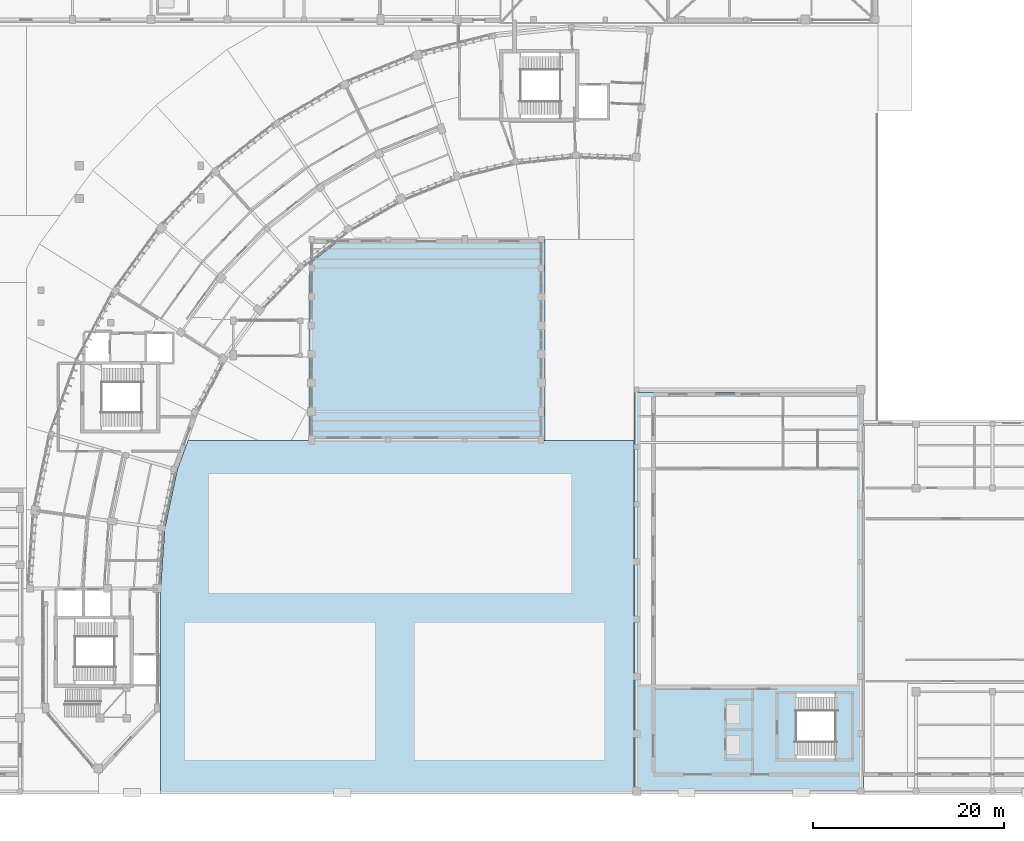
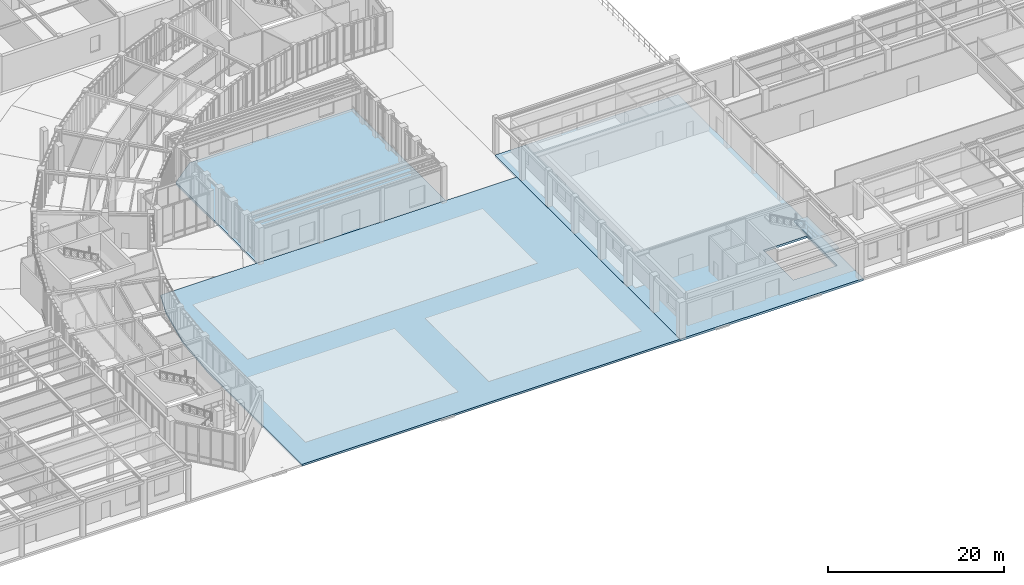
# One storey, part 24 of 68: 4 slabs, 1 element without a shape of its own.
"""IFC4 building model written with IfcOpenShell, lengths in metres."""

from ifc_helpers import new_model, si_unit, direction, frame, origin, place, context, subcontext, project, spatial, polyline, outline, extrude, material, layer, layer_set, type_object, element, aggregate, save


model = new_model("IFC4")

# Units and contexts
model_context = context("Model", 3, precision=1e-05, world=origin(), true_north=direction((0.0, 1.0)))
body_context = subcontext(model_context, "Body", "Model", "MODEL_VIEW")
ifc_project = project(units=[si_unit("LENGTHUNIT", "METRE"), si_unit("AREAUNIT", "SQUARE_METRE"), si_unit("VOLUMEUNIT", "CUBIC_METRE"), si_unit("PLANEANGLEUNIT", "RADIAN"), si_unit("MASSUNIT", "GRAM", prefix="KILO"), si_unit("THERMODYNAMICTEMPERATUREUNIT", "KELVIN"), si_unit("POWERUNIT", "WATT")], contexts=[model_context])

# Site, building, storey
site_placement = place(None, origin())
site = spatial("IfcSite", under=ifc_project, at=site_placement, CompositionType="ELEMENT")
building_placement = place(site_placement, origin())
building = spatial("IfcBuilding", under=site, at=building_placement, Name="Solvatero Civic Police Headquarters", CompositionType="ELEMENT")
storey_placement = place(building_placement, origin())
storey = spatial("IfcBuildingStorey", under=building, at=storey_placement, Name="L00", CompositionType="ELEMENT", Elevation=0.0)

# Stair, slab
ifc_material_1 = material(Name="Precast concrete C40/50", Category="concrete")
stair_type = type_object("IfcStairType", Name="STR-C145-510", PredefinedType="HALF_TURN_STAIR", material=ifc_material_1)
stair_placement = place(storey_placement, origin())
stair = element("IfcStair", 1, at=stair_placement, inside=storey, type_object=stair_type, Name="Protected Exit Stair ST-C5 (L00 to L01)", PredefinedType="HALF_TURN_STAIR")
ifc_layer_1 = layer(ifc_material_1, 0.199951171875)
ifc_layer_set_1 = layer_set([ifc_layer_1], Name="Precast concrete C40/50")
slab_type_1 = type_object("IfcSlabType", Name="SLB-LND-200", PredefinedType="LANDING", material=ifc_layer_set_1)
slab_1_placement = place(storey_placement, frame((0.0, 0.0, 2.35009765625)))
slab_1 = element("IfcSlab", 2, at=slab_1_placement, type_object=slab_type_1, Name="ST-C5 L00 Half-Landing", PredefinedType="LANDING", context=body_context, shape_type="SweptSolid", body=[
    extrude(outline(polyline([(119.56494140625, 8.050048828125), (121.35009765625, 8.050048828125), (121.35009765625, 15.14990234375), (119.56494140625, 15.14990234375), (119.56494140625, 8.050048828125)])), origin(), (0.0, 0.0, 1.0), 0.199951171875),
])
aggregate(stair, [slab_1])

# Slabs
ifc_material_2 = material(Name="Concrete C40/50", Category="concrete")
ifc_layer_2 = layer(ifc_material_2, 0.300048828125)
ifc_layer_set_2 = layer_set([ifc_layer_2], Name="Concrete C40/50")
slab_type_2 = type_object("IfcSlabType", Name="SLB-RC-300", PredefinedType="FLOOR", material=ifc_layer_set_2)
slab_2_placement = place(storey_placement, frame((0.0, 0.0, -0.300048828125)))
element("IfcSlab", 3, at=slab_2_placement, inside=storey, type_object=slab_type_2, Name="L00 Suspended floor slab SLB-L00-V2", PredefinedType="FLOOR", context=body_context, shape_type="SweptSolid", body=[
    extrude(outline(polyline([(64.5, 41.5), (64.5, 59.916259765625), (67.806884765625, 62.5), (89.199951171875, 62.5), (89.199951171875, 41.5), (64.5, 41.5)])), origin(), (0.0, 0.0, 1.0), 0.300048828125),
])
slab_3_placement = place(storey_placement, frame((0.0, 0.0, -0.300048828125)))
element("IfcSlab", 4, at=slab_3_placement, inside=storey, type_object=slab_type_2, Name="L00 Suspended floor slab SLB-L00-V1", PredefinedType="FLOOR", context=body_context, shape_type="SweptSolid", body=[
    extrude(outline(polyline([(98.5, 46.5), (122.5, 46.5), (122.5, 4.5), (98.5, 4.5), (98.5, 46.5)]), holes=[polyline([(121.199951171875, 15.0), (115.4599609375, 15.0), (115.4599609375, 8.199951171875), (121.199951171875, 8.199951171875), (121.199951171875, 15.0)])]), origin(), (0.0, 0.0, 1.0), 0.300048828125),
])
ifc_material_3 = material(Name="Concrete C35/45", Category="concrete")
ifc_layer_3 = layer(ifc_material_3, 0.260009765625)
ifc_layer_set_3 = layer_set([ifc_layer_3], Name="Concrete C35/45")
slab_type_3 = type_object("IfcSlabType", Name="SLB-TERR-260", PredefinedType="FLOOR", material=ifc_layer_set_3)
slab_4_placement = place(storey_placement, frame((0.0, 0.0, -0.260009765625)))
element("IfcSlab", 5, at=slab_4_placement, inside=storey, type_object=slab_type_3, Name="L00 Walkable roof terrace slab SLB-L00-PARVIS-E", PredefinedType="FLOOR", context=body_context, shape_type="SweptSolid", body=[
    extrude(outline(polyline([(49.0, 13.4970703125), (49.001953125, 13.499267578125), (49.001953125, 26.0), (49.43994140625, 32.262451171875), (50.7451171875, 38.403076171875), (51.872314453125, 41.5), (64.498046875, 41.5), (64.498046875, 41.498046875), (89.201904296875, 41.498046875), (89.201904296875, 41.5), (98.498046875, 41.5), (98.498046875, 4.5), (49.0, 4.5), (49.0, 13.4970703125)])), origin(), (0.0, 0.0, 1.0), 0.260009765625),
])

save(model, "model.ifc")
